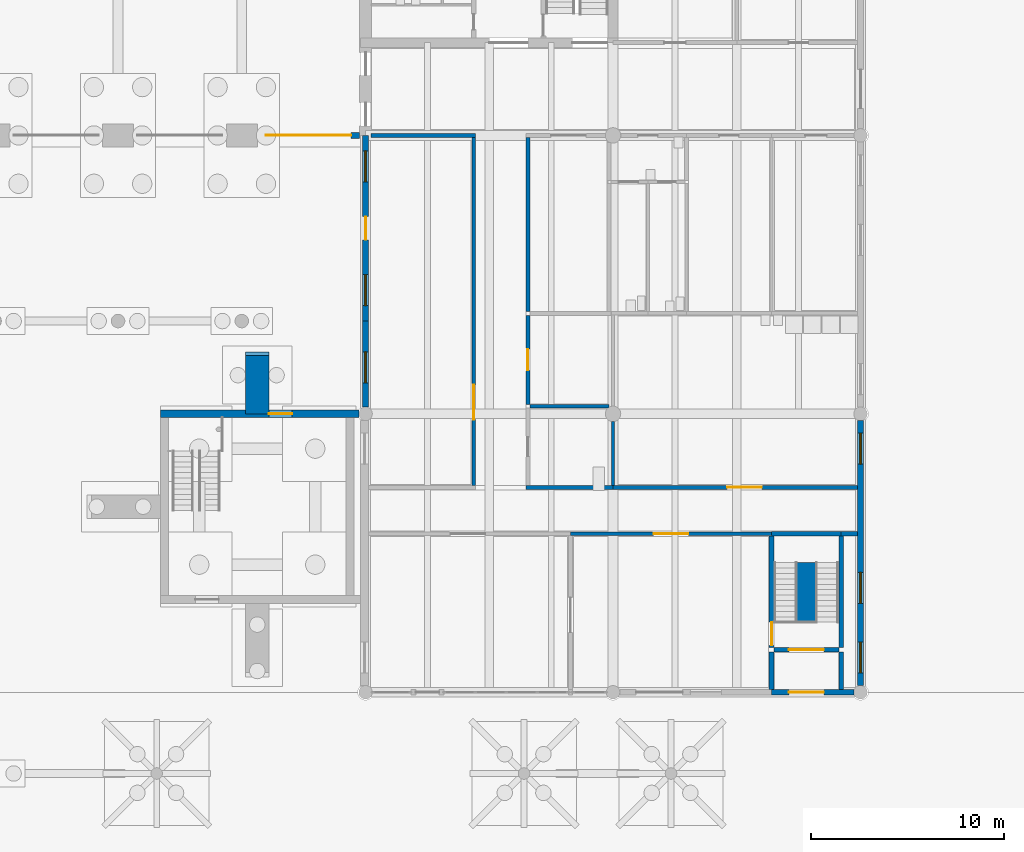
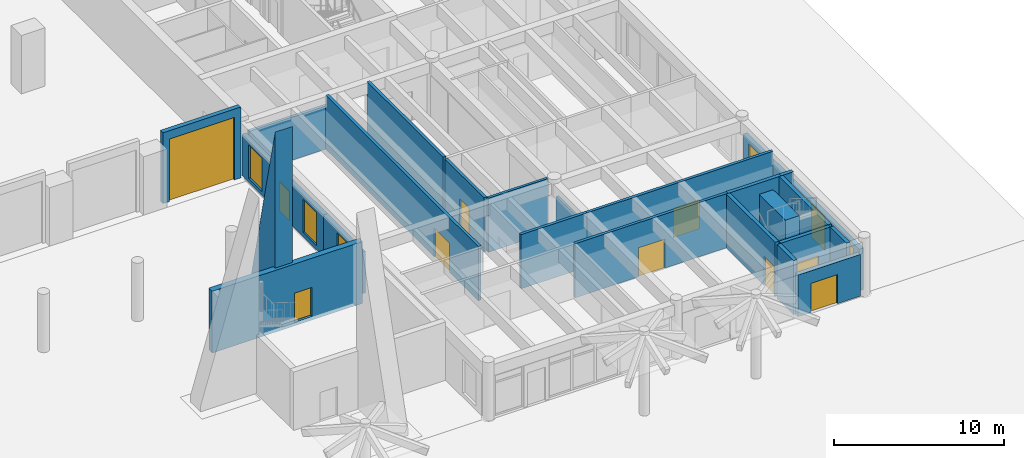
# One storey, part 16 of 28: 24 walls, 10 doors, 6 windows, 16 openings.
"""IFC4 building model written with IfcOpenShell, lengths in metres."""

import ifcopenshell
import ifcopenshell.guid

model = None  # the IFC model being written
_history = None  # IfcOwnerHistory: only IFC2X3 demands one
_inside = {}  # id of a spatial element -> (the spatial element, [elements in it])
_under = {}  # id of a project, library or spatial element -> (it, [spatial elements below it])
_declared = {}  # id of a project -> (the project, [libraries it declares])
_typed = {}  # id of a type object -> (the type object, [elements of that type])
_made_of = {}  # id of a material, layer set ... -> (it, [elements and type objects made of it])


def new_model(schema):
    """Start an empty IFC model of exactly this schema.

    Asked for "IFC4X3", IfcOpenShell would pick the latest addendum, in which some entities
    have other attributes; the version numbers below select the first issue.
    IFC2X3 requires an IfcOwnerHistory on every rooted entity: one is made here for all.
    """
    global model, _history
    if schema == "IFC4X3":
        model = ifcopenshell.file(schema_version=(4, 3, 0, 0))
    else:
        model = ifcopenshell.file(schema=schema)
    _inside.clear()
    _under.clear()
    _declared.clear()
    _typed.clear()
    _made_of.clear()
    _history = None
    if model.schema == "IFC2X3":
        org = make("IfcOrganization", Name="unknown")
        user = make(
            "IfcPersonAndOrganization",
            ThePerson=make("IfcPerson", FamilyName="unknown"),
            TheOrganization=org,
        )
        app = make(
            "IfcApplication",
            ApplicationDeveloper=org,
            Version="unknown",
            ApplicationFullName="unknown",
            ApplicationIdentifier="unknown",
        )
        _history = make(
            "IfcOwnerHistory",
            OwningUser=user,
            OwningApplication=app,
            ChangeAction="ADDED",
            CreationDate=0,
        )
    return model


def make(cls, **values):
    """One entity of the class cls with the attributes given. An attribute that is None is left unset."""
    return model.create_entity(
        cls, **{name: value for name, value in values.items() if value is not None}
    )


def rooted(cls, **values):
    """An entity with a GlobalId (a new one), such as an element, a storey or a relation."""
    return make(cls, GlobalId=ifcopenshell.guid.new(), OwnerHistory=_history, **values)


def si_unit(unit_type, name, prefix=None):
    """IfcSIUnit, for example si_unit("LENGTHUNIT", "METRE", prefix="MILLI")."""
    return make("IfcSIUnit", UnitType=unit_type, Prefix=prefix, Name=name)


def assignment(units):
    """IfcUnitAssignment: the units of a project."""
    return None if units is None else make("IfcUnitAssignment", Units=units)


def point(xyz):
    """IfcCartesianPoint."""
    return None if xyz is None else make("IfcCartesianPoint", Coordinates=xyz)


def direction(xyz):
    """IfcDirection."""
    return None if xyz is None else make("IfcDirection", DirectionRatios=xyz)


def frame(location, z_axis=None, x_axis=None):
    """IfcAxis2Placement3D, a coordinate frame: its origin and axes. An axis left out is left unset."""
    return make(
        "IfcAxis2Placement3D",
        Location=point(location),
        Axis=direction(z_axis),
        RefDirection=direction(x_axis),
    )


def frame_2d(location, x_axis=None):
    """IfcAxis2Placement2D, a coordinate frame in the plane: its origin and x axis."""
    return make(
        "IfcAxis2Placement2D", Location=point(location), RefDirection=direction(x_axis)
    )


def origin():
    """The frame at (0, 0, 0) with its axes left unset."""
    return frame((0.0, 0.0, 0.0))


def place(relative_to, where):
    """IfcLocalPlacement: puts the frame where relative to a parent placement (None: the world)."""
    return make(
        "IfcLocalPlacement", PlacementRelTo=relative_to, RelativePlacement=where
    )


def context(
    kind, dimensions, precision=None, world=None, true_north=None, identifier=None
):
    """IfcGeometricRepresentationContext, for example the 3D "Model" context."""
    return make(
        "IfcGeometricRepresentationContext",
        ContextIdentifier=identifier,
        ContextType=kind,
        CoordinateSpaceDimension=dimensions,
        Precision=precision,
        WorldCoordinateSystem=world,
        TrueNorth=true_north,
    )


def subcontext(parent, identifier, kind, view, scale=None):
    """IfcGeometricRepresentationSubContext, for example "Body" below "Model"."""
    return make(
        "IfcGeometricRepresentationSubContext",
        ContextIdentifier=identifier,
        ContextType=kind,
        ParentContext=parent,
        TargetScale=scale,
        TargetView=view,
    )


def project(units=None, contexts=None):
    """IfcProject with its units and contexts."""
    return rooted(
        "IfcProject",
        Name="project",
        RepresentationContexts=contexts,
        UnitsInContext=assignment(units),
    )


def spatial(cls, under=None, at=None, **own):
    """A site, building, storey or space (cls), placed at a placement, below another one or the project."""
    s = rooted(cls, ObjectPlacement=at, **own)
    if under is not None:
        _under.setdefault(under.id(), (under, []))[1].append(s)
    return s


def polyline(points):
    """IfcPolyline through the points."""
    return make("IfcPolyline", Points=[point(p) for p in points])


def profile(cls, at=None, kind="AREA", **sizes):
    """A parametric profile (cls). Its sizes go by their IFC names, for example OverallWidth=200.0."""
    return make(cls, ProfileType=kind, Position=at, **sizes)


def rectangle(**sizes):
    """IfcRectangleProfileDef."""
    return profile("IfcRectangleProfileDef", **sizes)


def outline(outer, holes=None, kind="AREA"):
    """IfcArbitraryClosedProfileDef: a profile drawn as a closed curve; with holes, ...WithVoids."""
    if holes is None:
        return make("IfcArbitraryClosedProfileDef", ProfileType=kind, OuterCurve=outer)
    return make(
        "IfcArbitraryProfileDefWithVoids",
        ProfileType=kind,
        OuterCurve=outer,
        InnerCurves=holes,
    )


def extrude(swept, where, along, depth):
    """IfcExtrudedAreaSolid: the profile swept, set in the frame where, extruded along a direction by depth."""
    return make(
        "IfcExtrudedAreaSolid",
        SweptArea=swept,
        Position=where,
        ExtrudedDirection=direction(along),
        Depth=depth,
    )


def shape(context_of_items, identifier, shape_type, items):
    """IfcShapeRepresentation: the items that make up one representation, for example the "Body"."""
    return make(
        "IfcShapeRepresentation",
        ContextOfItems=context_of_items,
        RepresentationIdentifier=identifier,
        RepresentationType=shape_type,
        Items=items,
    )


def material(Name=None, Category=None):
    """IfcMaterial."""
    return make("IfcMaterial", Name=Name, Category=Category)


def layer(
    of_material, thickness, ventilated=None, Name=None, Category=None, Priority=None
):
    """IfcMaterialLayer: one layer of a wall or slab, of a material (None: an air gap)."""
    return make(
        "IfcMaterialLayer",
        Material=of_material,
        LayerThickness=thickness,
        IsVentilated=ventilated,
        Name=Name,
        Category=Category,
        Priority=Priority,
    )


def layer_set(layers, Name=None):
    """IfcMaterialLayerSet."""
    return make("IfcMaterialLayerSet", MaterialLayers=layers, LayerSetName=Name)


def made_of(thing, what):
    """Note that an element or type object is made of a material, layer set ...; save() writes the relation."""
    if what is not None:
        _made_of.setdefault(what.id(), (what, []))[1].append(thing)
    return thing


def type_object(cls, material=None, **own):
    """A type object (cls), such as IfcWallType, which elements share."""
    return made_of(rooted(cls, **own), material)


def element(
    cls,
    number,
    at=None,
    inside=None,
    cuts=None,
    type_object=None,
    material=None,
    context=None,
    identifier="Body",
    shape_type=None,
    held_by="IfcProductDefinitionShape",
    body=None,
    shapes=None,
    **own,
):
    """One element of the class cls, such as IfcWall. Its Tag is "e" and its number.

    at: its placement. inside: the storey or other place that contains it. cuts: it is an
    opening in that element (IfcRelVoidsElement). A single representation is given by context,
    identifier, shape_type and body (its items); several are given by shapes. held_by: the class
    of the entity that holds the representations. save() writes the other relations.
    """
    e = rooted(cls, Tag="e%d" % number, ObjectPlacement=at, **own)
    if body is not None:
        shapes = [shape(context, identifier, shape_type, body)]
    if shapes is not None:
        e.Representation = make(held_by, Representations=shapes)
    if inside is not None:
        _inside.setdefault(inside.id(), (inside, []))[1].append(e)
    if cuts is not None:
        rooted(
            "IfcRelVoidsElement", RelatingBuildingElement=cuts, RelatedOpeningElement=e
        )
    if type_object is not None:
        _typed.setdefault(type_object.id(), (type_object, []))[1].append(e)
    return made_of(e, material)


def fill(opening, filler):
    """IfcRelFillsElement: the door or window that sits in an opening."""
    return rooted(
        "IfcRelFillsElement",
        RelatingOpeningElement=opening,
        RelatedBuildingElement=filler,
    )


def aggregate(whole, parts):
    """IfcRelAggregates: a whole, such as a stair, and the parts it consists of."""
    return rooted("IfcRelAggregates", RelatingObject=whole, RelatedObjects=parts)


def save(model, path):
    """Write the relations noted so far, then the file.

    IfcRelAggregates (storeys below a building ...), IfcRelContainedInSpatialStructure (elements
    in a storey), IfcRelDefinesByType, IfcRelAssociatesMaterial and IfcRelDeclares: one each for
    every whole, place, type object, material and project.
    """
    for whole, parts in _under.values():
        aggregate(whole, parts)
    for where, things in _inside.values():
        rooted(
            "IfcRelContainedInSpatialStructure",
            RelatedElements=things,
            RelatingStructure=where,
        )
    for kind, things in _typed.values():
        rooted("IfcRelDefinesByType", RelatedObjects=things, RelatingType=kind)
    for what, things in _made_of.values():
        rooted("IfcRelAssociatesMaterial", RelatedObjects=things, RelatingMaterial=what)
    for by, libraries in _declared.values():
        rooted("IfcRelDeclares", RelatingContext=by, RelatedDefinitions=libraries)
    model.write(path)


model = new_model("IFC4")

# Units and contexts
model_context = context("Model", 3, precision=1e-05, world=origin(), true_north=direction((0.0, 1.0)))
body_context = subcontext(model_context, "Body", "Model", "MODEL_VIEW")
ifc_project = project(units=[si_unit("LENGTHUNIT", "METRE"), si_unit("AREAUNIT", "SQUARE_METRE"), si_unit("VOLUMEUNIT", "CUBIC_METRE"), si_unit("PLANEANGLEUNIT", "RADIAN"), si_unit("MASSUNIT", "GRAM", prefix="KILO")], contexts=[model_context])

# Site, building, storey
site_placement = place(None, origin())
site = spatial("IfcSite", under=ifc_project, at=site_placement, CompositionType="ELEMENT")
building_placement = place(site_placement, origin())
building = spatial("IfcBuilding", under=site, at=building_placement, Name="Fogon Plaza Fire Station and Headquarters Tower", CompositionType="ELEMENT")
storey_placement = place(building_placement, origin())
storey = spatial("IfcBuildingStorey", under=building, at=storey_placement, Name="L00", CompositionType="ELEMENT", Elevation=0.0)

# Wall, openings, windows
ifc_material_1 = material(Name="Concrete C40", Category="concrete")
ifc_layer_1 = layer(ifc_material_1, 0.300048828125)
ifc_layer_set_1 = layer_set([ifc_layer_1], Name="Concrete C40")
wall_type_1 = type_object("IfcWallType", Name="Board-marked RC Infill Wall 300", PredefinedType="SOLIDWALL", material=ifc_layer_set_1)
wall_1_placement = place(storey_placement, frame((89.60009765625, 0.35009765625, 0.0), z_axis=(0.0, 0.0, 1.0), x_axis=(0.0, 1.0, 0.0)))
wall_1 = element("IfcWall", 1, at=wall_1_placement, inside=storey, type_object=wall_type_1, Name="Exterior wall EE L00", PredefinedType="SOLIDWALL", context=body_context, shape_type="SweptSolid", body=[
    extrude(rectangle(XDim=13.699951171875, YDim=0.300048828125, at=frame_2d((6.85009765625, 0.0))), origin(), (0.0, 0.0, 1.0), 3.0),
])
opening_1_placement = place(wall_1_placement, frame((0.64990234375, 0.0, 0.300048828125)))
opening_1 = element("IfcOpeningElement", 2, at=opening_1_placement, cuts=wall_1, Name="Opening W2", PredefinedType="OPENING", context=body_context, shape_type="SweptSolid", body=[
    extrude(rectangle(XDim=1.60009765625, YDim=2.39990234375, at=frame_2d((0.800048828125, 1.199951171875))), frame((0.0, 0.159912109375, 0.0), z_axis=(0.0, -1.0, 0.0), x_axis=(1.0, 0.0, 0.0)), (0.0, 0.0, 1.0), 0.320068359375),
])
opening_2_placement = place(wall_1_placement, frame((4.25, 0.0, 0.300048828125)))
opening_2 = element("IfcOpeningElement", 3, at=opening_2_placement, cuts=wall_1, Name="Opening W2", PredefinedType="OPENING", context=body_context, shape_type="SweptSolid", body=[
    extrude(rectangle(XDim=1.60009765625, YDim=2.39990234375, at=frame_2d((0.800048828125, 1.199951171875))), frame((0.0, 0.159912109375, 0.0), z_axis=(0.0, -1.0, 0.0), x_axis=(1.0, 0.0, 0.0)), (0.0, 0.0, 1.0), 0.320068359375),
])
opening_3_placement = place(wall_1_placement, frame((11.449951171875, 0.0, 0.300048828125)))
opening_3 = element("IfcOpeningElement", 4, at=opening_3_placement, cuts=wall_1, Name="Opening W2", PredefinedType="OPENING", context=body_context, shape_type="SweptSolid", body=[
    extrude(rectangle(XDim=1.60009765625, YDim=2.39990234375, at=frame_2d((0.800048828125, 1.199951171875))), frame((0.0, 0.159912109375, 0.0), z_axis=(0.0, -1.0, 0.0), x_axis=(1.0, 0.0, 0.0)), (0.0, 0.0, 1.0), 0.320068359375),
])
ifc_material_2 = material(Name="Aluminium framed double glazing", Category="aluminium")
window_type = type_object("IfcWindowType", Name="Window W2 1600x2400", PartitioningType="SINGLE_PANEL", PredefinedType="WINDOW", material=ifc_material_2)
window_1_placement = place(opening_1_placement, origin())
window_1 = element("IfcWindow", 5, at=window_1_placement, inside=storey, type_object=window_type, Name="Window W2 E L00", OverallHeight=2.39990234375, OverallWidth=1.60009765625, PartitioningType="SINGLE_PANEL", PredefinedType="WINDOW", context=body_context, shape_type="SweptSolid", body=[
    extrude(rectangle(XDim=1.60009765625, YDim=2.39990234375, at=frame_2d((0.800048828125, 1.199951171875))), frame((0.0, 0.030029296875, 0.0), z_axis=(0.0, -1.0, 0.0), x_axis=(1.0, 0.0, 0.0)), (0.0, 0.0, 1.0), 0.06005859375),
])
fill(opening_1, window_1)
window_2_placement = place(opening_2_placement, origin())
window_2 = element("IfcWindow", 6, at=window_2_placement, inside=storey, type_object=window_type, Name="Window W2 E L00", OverallHeight=2.39990234375, OverallWidth=1.60009765625, PartitioningType="SINGLE_PANEL", PredefinedType="WINDOW", context=body_context, shape_type="SweptSolid", body=[
    extrude(rectangle(XDim=1.60009765625, YDim=2.39990234375, at=frame_2d((0.800048828125, 1.199951171875))), frame((0.0, 0.030029296875, 0.0), z_axis=(0.0, -1.0, 0.0), x_axis=(1.0, 0.0, 0.0)), (0.0, 0.0, 1.0), 0.06005859375),
])
fill(opening_2, window_2)
window_3_placement = place(opening_3_placement, origin())
window_3 = element("IfcWindow", 7, at=window_3_placement, inside=storey, type_object=window_type, Name="Window W2 E L00", OverallHeight=2.39990234375, OverallWidth=1.60009765625, PartitioningType="SINGLE_PANEL", PredefinedType="WINDOW", context=body_context, shape_type="SweptSolid", body=[
    extrude(rectangle(XDim=1.60009765625, YDim=2.39990234375, at=frame_2d((0.800048828125, 1.199951171875))), frame((0.0, 0.030029296875, 0.0), z_axis=(0.0, -1.0, 0.0), x_axis=(1.0, 0.0, 0.0)), (0.0, 0.0, 1.0), 0.06005859375),
])
fill(opening_3, window_3)

# Wall, opening, window
wall_2_placement = place(storey_placement, frame((64.0, 14.75, 0.0), z_axis=(0.0, 0.0, 1.0), x_axis=(0.0, 1.0, 0.0)))
wall_2 = element("IfcWall", 8, at=wall_2_placement, inside=storey, type_object=wall_type_1, Name="Exterior wall EW L00", PredefinedType="SOLIDWALL", context=body_context, shape_type="SweptSolid", body=[
    extrude(rectangle(XDim=4.449951171875, YDim=0.300048828125, at=frame_2d((2.22509765625, 0.0))), origin(), (0.0, 0.0, 1.0), 3.0),
])
opening_4_placement = place(wall_2_placement, frame((1.25, 0.0, 0.300048828125)))
opening_4 = element("IfcOpeningElement", 9, at=opening_4_placement, cuts=wall_2, Name="Opening W2", PredefinedType="OPENING", context=body_context, shape_type="SweptSolid", body=[
    extrude(rectangle(XDim=1.60009765625, YDim=2.39990234375, at=frame_2d((0.800048828125, 1.199951171875))), frame((0.0, 0.159912109375, 0.0), z_axis=(0.0, -1.0, 0.0), x_axis=(1.0, 0.0, 0.0)), (0.0, 0.0, 1.0), 0.320068359375),
])
window_4_placement = place(opening_4_placement, origin())
window_4 = element("IfcWindow", 10, at=window_4_placement, inside=storey, type_object=window_type, Name="Window W2 W L00", OverallHeight=2.39990234375, OverallWidth=1.60009765625, PartitioningType="SINGLE_PANEL", PredefinedType="WINDOW", context=body_context, shape_type="SweptSolid", body=[
    extrude(rectangle(XDim=1.60009765625, YDim=2.39990234375, at=frame_2d((0.800048828125, 1.199951171875))), frame((0.0, 0.030029296875, 0.0), z_axis=(0.0, -1.0, 0.0), x_axis=(1.0, 0.0, 0.0)), (0.0, 0.0, 1.0), 0.06005859375),
])
fill(opening_4, window_4)

# Wall, openings, door, windows
wall_3_placement = place(storey_placement, frame((64.0, 19.199951171875, 0.0), z_axis=(0.0, 0.0, 1.0), x_axis=(0.0, 1.0, 0.0)))
wall_3 = element("IfcWall", 11, at=wall_3_placement, inside=storey, type_object=wall_type_1, Name="Exterior wall EW L00", PredefinedType="SOLIDWALL", context=body_context, shape_type="SweptSolid", body=[
    extrude(rectangle(XDim=9.60009765625, YDim=0.300048828125, at=frame_2d((4.800048828125, 0.0))), origin(), (0.0, 0.0, 1.0), 3.0),
])
opening_5_placement = place(wall_3_placement, frame((4.199951171875, 0.0, 0.0)))
opening_5 = element("IfcOpeningElement", 12, at=opening_5_placement, cuts=wall_3, Name="Opening L00-D14", PredefinedType="OPENING", context=body_context, shape_type="SweptSolid", body=[
    extrude(rectangle(XDim=1.199951171875, YDim=2.10009765625, at=frame_2d((0.60009765625, 1.050048828125))), frame((0.0, 0.159912109375, 0.0), z_axis=(0.0, -1.0, 0.0), x_axis=(1.0, 0.0, 0.0)), (0.0, 0.0, 1.0), 0.320068359375),
])
opening_6_placement = place(wall_3_placement, frame((0.800048828125, 0.0, 0.300048828125)))
opening_6 = element("IfcOpeningElement", 13, at=opening_6_placement, cuts=wall_3, Name="Opening W2", PredefinedType="OPENING", context=body_context, shape_type="SweptSolid", body=[
    extrude(rectangle(XDim=1.60009765625, YDim=2.39990234375, at=frame_2d((0.800048828125, 1.199951171875))), frame((0.0, 0.159912109375, 0.0), z_axis=(0.0, -1.0, 0.0), x_axis=(1.0, 0.0, 0.0)), (0.0, 0.0, 1.0), 0.320068359375),
])
opening_7_placement = place(wall_3_placement, frame((7.199951171875, 0.0, 0.300048828125)))
opening_7 = element("IfcOpeningElement", 14, at=opening_7_placement, cuts=wall_3, Name="Opening W2", PredefinedType="OPENING", context=body_context, shape_type="SweptSolid", body=[
    extrude(rectangle(XDim=1.60009765625, YDim=2.39990234375, at=frame_2d((0.800048828125, 1.199951171875))), frame((0.0, 0.159912109375, 0.0), z_axis=(0.0, -1.0, 0.0), x_axis=(1.0, 0.0, 0.0)), (0.0, 0.0, 1.0), 0.320068359375),
])
ifc_material_3 = material(Name="Steel Door Leaf", Category="steel")
door_type_1 = type_object("IfcDoorType", Name="Service Single 1200x2100", OperationType="SINGLE_SWING_LEFT", PredefinedType="DOOR", material=ifc_material_3)
door_1_placement = place(opening_5_placement, origin())
door_1 = element("IfcDoor", 15, at=door_1_placement, inside=storey, type_object=door_type_1, Name="Exterior door L00-D14", OperationType="SINGLE_SWING_RIGHT", OverallHeight=2.10009765625, OverallWidth=1.199951171875, PredefinedType="DOOR", context=body_context, shape_type="SweptSolid", body=[
    extrude(rectangle(XDim=1.199951171875, YDim=2.10009765625, at=frame_2d((0.60009765625, 1.050048828125))), frame((0.0, 0.02490234375, 0.0), z_axis=(0.0, -1.0, 0.0), x_axis=(1.0, 0.0, 0.0)), (0.0, 0.0, 1.0), 0.050048828125),
])
fill(opening_5, door_1)
window_5_placement = place(opening_6_placement, origin())
window_5 = element("IfcWindow", 16, at=window_5_placement, inside=storey, type_object=window_type, Name="Window W2 W L00", OverallHeight=2.39990234375, OverallWidth=1.60009765625, PartitioningType="SINGLE_PANEL", PredefinedType="WINDOW", context=body_context, shape_type="SweptSolid", body=[
    extrude(rectangle(XDim=1.60009765625, YDim=2.39990234375, at=frame_2d((0.800048828125, 1.199951171875))), frame((0.0, 0.030029296875, 0.0), z_axis=(0.0, -1.0, 0.0), x_axis=(1.0, 0.0, 0.0)), (0.0, 0.0, 1.0), 0.06005859375),
])
fill(opening_6, window_5)
window_6_placement = place(opening_7_placement, origin())
window_6 = element("IfcWindow", 17, at=window_6_placement, inside=storey, type_object=window_type, Name="Window W2 W L00", OverallHeight=2.39990234375, OverallWidth=1.60009765625, PartitioningType="SINGLE_PANEL", PredefinedType="WINDOW", context=body_context, shape_type="SweptSolid", body=[
    extrude(rectangle(XDim=1.60009765625, YDim=2.39990234375, at=frame_2d((0.800048828125, 1.199951171875))), frame((0.0, 0.030029296875, 0.0), z_axis=(0.0, -1.0, 0.0), x_axis=(1.0, 0.0, 0.0)), (0.0, 0.0, 1.0), 0.06005859375),
])
fill(opening_7, window_6)

# Wall, opening, door
wall_4_placement = place(storey_placement, frame((58.39990234375, 28.800048828125, 0.0), z_axis=(0.0, 0.0, 1.0), x_axis=(1.0, 0.0, 0.0)))
wall_4 = element("IfcWall", 18, at=wall_4_placement, inside=storey, type_object=wall_type_1, Name="Bay door infill rear 6", PredefinedType="SOLIDWALL", context=body_context, shape_type="SweptSolid", body=[
    extrude(rectangle(XDim=5.300048828125, YDim=0.300048828125, at=frame_2d((2.64990234375, 0.0))), origin(), (0.0, 0.0, 1.0), 5.10009765625),
])
opening_8_placement = place(wall_4_placement, frame((0.449951171875, 0.0, 0.0)))
opening_8 = element("IfcOpeningElement", 19, at=opening_8_placement, cuts=wall_4, Name="Opening L00-D28", PredefinedType="OPENING", context=body_context, shape_type="SweptSolid", body=[
    extrude(rectangle(XDim=4.39990234375, YDim=4.5, at=frame_2d((2.199951171875, 2.25))), frame((0.0, 0.159912109375, 0.0), z_axis=(0.0, -1.0, 0.0), x_axis=(1.0, 0.0, 0.0)), (0.0, 0.0, 1.0), 0.320068359375),
])
ifc_material_4 = material(Name="Insulated steel sections", Category="steel")
door_type_2 = type_object("IfcDoorType", Name="Sectional Overhead Door 4400x4500", OperationType="ROLLINGUP", PredefinedType="DOOR", material=ifc_material_4)
door_2_placement = place(opening_8_placement, frame((4.39990234375, 0.0, 0.0), z_axis=(0.0, 0.0, 1.0), x_axis=(-1.0, 0.0, 0.0)))
door_2 = element("IfcDoor", 20, at=door_2_placement, inside=storey, type_object=door_type_2, Name="Overhead door L00-D28", OperationType="ROLLINGUP", OverallHeight=4.5, OverallWidth=4.39990234375, PredefinedType="DOOR", context=body_context, shape_type="SweptSolid", body=[
    extrude(rectangle(XDim=4.39990234375, YDim=4.5, at=frame_2d((2.199951171875, 2.25))), frame((0.0, 0.02490234375, 0.0), z_axis=(0.0, -1.0, 0.0), x_axis=(1.0, 0.0, 0.0)), (0.0, 0.0, 1.0), 0.050048828125),
])
fill(opening_8, door_2)

ifc_material_5 = material(Name="Concrete C40", Category="concrete")
ifc_layer_2 = layer(ifc_material_5, 0.300048828125)
ifc_layer_set_2 = layer_set([ifc_layer_2], Name="Concrete C40")
wall_type_2 = type_object("IfcWallType", Name="Board-marked RC Infill Wall 300 EI 120", PredefinedType="SOLIDWALL", material=ifc_layer_set_2)
wall_5_placement = place(storey_placement, frame((85.0, 0.0, 0.0), z_axis=(0.0, 0.0, 1.0), x_axis=(1.0, 0.0, 0.0)))
wall_5 = element("IfcWall", 21, at=wall_5_placement, inside=storey, type_object=wall_type_2, Name="Exterior wall ES L00", PredefinedType="SOLIDWALL", context=body_context, shape_type="SweptSolid", body=[
    extrude(rectangle(XDim=4.25, YDim=0.300048828125, at=frame_2d((2.125, 0.0))), origin(), (0.0, 0.0, 1.0), 3.0),
])
opening_9_placement = place(wall_5_placement, frame((0.89990234375, 0.0, 0.0)))
opening_9 = element("IfcOpeningElement", 22, at=opening_9_placement, cuts=wall_5, Name="Opening L00-D10", PredefinedType="OPENING", context=body_context, shape_type="SweptSolid", body=[
    extrude(rectangle(XDim=1.800048828125, YDim=2.10009765625, at=frame_2d((0.89990234375, 1.050048828125))), frame((0.0, 0.159912109375, 0.0), z_axis=(0.0, -1.0, 0.0), x_axis=(1.0, 0.0, 0.0)), (0.0, 0.0, 1.0), 0.320068359375),
])
ifc_material_6 = material(Name="Steel Fire Door Leaf", Category="steel")
door_type_3 = type_object("IfcDoorType", Name="Stair Discharge Double 1800x2100", OperationType="SINGLE_SWING_LEFT", PredefinedType="DOOR", material=ifc_material_6)
door_3_placement = place(opening_9_placement, frame((1.800048828125, 0.0, 0.0), z_axis=(0.0, 0.0, 1.0), x_axis=(-1.0, 0.0, 0.0)))
door_3 = element("IfcDoor", 23, at=door_3_placement, inside=storey, type_object=door_type_3, Name="Exterior door L00-D10", OperationType="SINGLE_SWING_LEFT", OverallHeight=2.10009765625, OverallWidth=1.800048828125, PredefinedType="DOOR", context=body_context, shape_type="SweptSolid", body=[
    extrude(rectangle(XDim=1.800048828125, YDim=2.10009765625, at=frame_2d((0.89990234375, 1.050048828125))), frame((0.0, 0.02490234375, 0.0), z_axis=(0.0, -1.0, 0.0), x_axis=(1.0, 0.0, 0.0)), (0.0, 0.0, 1.0), 0.050048828125),
])
fill(opening_9, door_3)

# Wall
ifc_material_7 = material(Name="Concrete Block Fire Wall", Category="concrete")
ifc_layer_3 = layer(ifc_material_7, 0.199951171875)
ifc_layer_set_3 = layer_set([ifc_layer_3], Name="Concrete Block Fire Wall")
wall_type_3 = type_object("IfcWallType", Name="Compartment Wall EI 120", PredefinedType="PARTITIONING", material=ifc_layer_set_3)
wall_6_placement = place(storey_placement, frame((72.39990234375, 19.699951171875, 0.0), z_axis=(0.0, 0.0, 1.0), x_axis=(0.0, 1.0, 0.0)))
element("IfcWall", 24, at=wall_6_placement, inside=storey, type_object=wall_type_3, Name="wall-L00-E-053", PredefinedType="PARTITIONING", context=body_context, shape_type="SweptSolid", body=[
    extrude(rectangle(XDim=9.0, YDim=0.199951171875, at=frame_2d((4.5, 0.0))), origin(), (0.0, 0.0, 1.0), 3.89990234375),
])

# Wall, opening, door
ifc_material_8 = material(Name="Gypsum Board Fire Partition")
ifc_layer_4 = layer(ifc_material_8, 0.199951171875)
ifc_layer_set_4 = layer_set([ifc_layer_4], Name="Gypsum Board Fire Partition")
wall_type_4 = type_object("IfcWallType", Name="Corridor Wall EI 60", PredefinedType="PARTITIONING", material=ifc_layer_set_4)
wall_7_placement = place(storey_placement, frame((85.0, 8.199951171875, 0.0), z_axis=(0.0, 0.0, 1.0), x_axis=(-1.0, 0.0, 0.0)))
wall_7 = element("IfcWall", 25, at=wall_7_placement, inside=storey, type_object=wall_type_4, Name="wall-L00-E-004", PredefinedType="PARTITIONING", context=body_context, shape_type="SweptSolid", body=[
    extrude(rectangle(XDim=10.39990234375, YDim=0.199951171875, at=frame_2d((5.199951171875, 0.0))), origin(), (0.0, 0.0, 1.0), 3.89990234375),
])
opening_10_placement = place(wall_7_placement, frame((4.300048828125, 0.0, 0.0)))
opening_10 = element("IfcOpeningElement", 26, at=opening_10_placement, cuts=wall_7, Name="Opening L00-D83", PredefinedType="OPENING", context=body_context, shape_type="SweptSolid", body=[
    extrude(rectangle(XDim=1.800048828125, YDim=2.10009765625, at=frame_2d((0.89990234375, 1.050048828125))), frame((0.0, 0.10986328125, 0.0), z_axis=(0.0, -1.0, 0.0), x_axis=(1.0, 0.0, 0.0)), (0.0, 0.0, 1.0), 0.219970703125),
])
ifc_material_9 = material(Name="Steel Fire Door Leaf", Category="steel")
door_type_4 = type_object("IfcDoorType", Name="Corridor Door Double EI 20 1800x2100", OperationType="SINGLE_SWING_LEFT", PredefinedType="DOOR", material=ifc_material_9)
door_4_placement = place(opening_10_placement, frame((1.800048828125, 0.0, 0.0), z_axis=(0.0, 0.0, 1.0), x_axis=(-1.0, 0.0, 0.0)))
door_4 = element("IfcDoor", 27, at=door_4_placement, inside=storey, type_object=door_type_4, Name="door-L00-E-04", OperationType="DOUBLE_DOOR_SINGLE_SWING", OverallHeight=2.10009765625, OverallWidth=1.800048828125, PredefinedType="DOOR", context=body_context, shape_type="SweptSolid", body=[
    extrude(rectangle(XDim=1.800048828125, YDim=2.10009765625, at=frame_2d((0.89990234375, 1.050048828125))), frame((0.0, 0.02490234375, 0.0), z_axis=(0.0, -1.0, 0.0), x_axis=(1.0, 0.0, 0.0)), (0.0, 0.0, 1.0), 0.050048828125),
])
fill(opening_10, door_4)

wall_8_placement = place(storey_placement, frame((89.449951171875, 10.60009765625, 0.0), z_axis=(0.0, 0.0, 1.0), x_axis=(-1.0, 0.0, 0.0)))
wall_8 = element("IfcWall", 28, at=wall_8_placement, inside=storey, type_object=wall_type_4, Name="wall-L00-E-006", PredefinedType="PARTITIONING", context=body_context, shape_type="SweptSolid", body=[
    extrude(rectangle(XDim=12.64990234375, YDim=0.199951171875, at=frame_2d((6.324951171875, 0.0))), origin(), (0.0, 0.0, 1.0), 3.89990234375),
])
opening_11_placement = place(wall_8_placement, frame((4.949951171875, 0.0, 0.0)))
opening_11 = element("IfcOpeningElement", 29, at=opening_11_placement, cuts=wall_8, Name="Opening L00-D85", PredefinedType="OPENING", context=body_context, shape_type="SweptSolid", body=[
    extrude(rectangle(XDim=1.800048828125, YDim=2.10009765625, at=frame_2d((0.89990234375, 1.050048828125))), frame((0.0, 0.10986328125, 0.0), z_axis=(0.0, -1.0, 0.0), x_axis=(1.0, 0.0, 0.0)), (0.0, 0.0, 1.0), 0.219970703125),
])
door_5_placement = place(opening_11_placement, frame((1.800048828125, 0.0, 0.0), z_axis=(0.0, 0.0, 1.0), x_axis=(-1.0, 0.0, 0.0)))
door_5 = element("IfcDoor", 30, at=door_5_placement, inside=storey, type_object=door_type_4, Name="door-L00-E-06", OperationType="DOUBLE_DOOR_SINGLE_SWING", OverallHeight=2.10009765625, OverallWidth=1.800048828125, PredefinedType="DOOR", context=body_context, shape_type="SweptSolid", body=[
    extrude(rectangle(XDim=1.800048828125, YDim=2.10009765625, at=frame_2d((0.89990234375, 1.050048828125))), frame((0.0, 0.02490234375, 0.0), z_axis=(0.0, -1.0, 0.0), x_axis=(1.0, 0.0, 0.0)), (0.0, 0.0, 1.0), 0.050048828125),
])
fill(opening_11, door_5)

# Wall
wall_9_placement = place(storey_placement, frame((76.800048828125, 10.60009765625, 0.0), z_axis=(0.0, 0.0, 1.0), x_axis=(-1.0, 0.0, 0.0)))
element("IfcWall", 31, at=wall_9_placement, inside=storey, type_object=wall_type_4, Name="wall-L00-E-007", PredefinedType="PARTITIONING", context=body_context, shape_type="SweptSolid", body=[
    extrude(rectangle(XDim=4.5, YDim=0.199951171875, at=frame_2d((2.25, 0.0))), origin(), (0.0, 0.0, 1.0), 3.89990234375),
])

# Wall, opening, door
wall_10_placement = place(storey_placement, frame((72.39990234375, 14.887451171875, 0.0), z_axis=(0.0, 0.0, 1.0), x_axis=(0.0, 1.0, 0.0)))
wall_10 = element("IfcWall", 32, at=wall_10_placement, inside=storey, type_object=wall_type_4, Name="wall-L00-E-052", PredefinedType="PARTITIONING", context=body_context, shape_type="SweptSolid", body=[
    extrude(rectangle(XDim=4.612548828125, YDim=0.199951171875, at=frame_2d((2.30615234375, 0.0))), origin(), (0.0, 0.0, 1.0), 3.89990234375),
])
opening_12_placement = place(wall_10_placement, frame((1.762451171875, 0.0, 0.0)))
opening_12 = element("IfcOpeningElement", 33, at=opening_12_placement, cuts=wall_10, Name="Opening L00-D87", PredefinedType="OPENING", context=body_context, shape_type="SweptSolid", body=[
    extrude(rectangle(XDim=1.10009765625, YDim=2.10009765625, at=frame_2d((0.550048828125, 1.050048828125))), frame((0.0, 0.10986328125, 0.0), z_axis=(0.0, -1.0, 0.0), x_axis=(1.0, 0.0, 0.0)), (0.0, 0.0, 1.0), 0.219970703125),
])
ifc_material_10 = material(Name="Steel Fire Door Leaf", Category="steel")
door_type_5 = type_object("IfcDoorType", Name="Corridor Door EI 20 1100x2100", OperationType="SINGLE_SWING_LEFT", PredefinedType="DOOR", material=ifc_material_10)
door_6_placement = place(opening_12_placement, frame((1.10009765625, 0.0, 0.0), z_axis=(0.0, 0.0, 1.0), x_axis=(-1.0, 0.0, 0.0)))
door_6 = element("IfcDoor", 34, at=door_6_placement, inside=storey, type_object=door_type_5, Name="door-L00-E-08", OperationType="SINGLE_SWING_LEFT", OverallHeight=2.10009765625, OverallWidth=1.10009765625, PredefinedType="DOOR", context=body_context, shape_type="SweptSolid", body=[
    extrude(rectangle(XDim=1.10009765625, YDim=2.10009765625, at=frame_2d((0.550048828125, 1.050048828125))), frame((0.0, 0.02490234375, 0.0), z_axis=(0.0, -1.0, 0.0), x_axis=(1.0, 0.0, 0.0)), (0.0, 0.0, 1.0), 0.050048828125),
])
fill(opening_12, door_6)

wall_11_placement = place(storey_placement, frame((69.60009765625, 10.699951171875, 0.0), z_axis=(0.0, 0.0, 1.0), x_axis=(0.0, 1.0, 0.0)))
wall_11 = element("IfcWall", 35, at=wall_11_placement, inside=storey, type_object=wall_type_4, Name="wall-L00-E-054", PredefinedType="PARTITIONING", context=body_context, shape_type="SweptSolid", body=[
    extrude(rectangle(XDim=18.0, YDim=0.199951171875, at=frame_2d((9.0, 0.0))), origin(), (0.0, 0.0, 1.0), 3.89990234375),
])
opening_13_placement = place(wall_11_placement, frame((3.39990234375, 0.0, 0.0)))
opening_13 = element("IfcOpeningElement", 36, at=opening_13_placement, cuts=wall_11, Name="Opening L00-D88", PredefinedType="OPENING", context=body_context, shape_type="SweptSolid", body=[
    extrude(rectangle(XDim=1.800048828125, YDim=2.10009765625, at=frame_2d((0.89990234375, 1.050048828125))), frame((0.0, 0.10986328125, 0.0), z_axis=(0.0, -1.0, 0.0), x_axis=(1.0, 0.0, 0.0)), (0.0, 0.0, 1.0), 0.219970703125),
])
door_7_placement = place(opening_13_placement, origin())
door_7 = element("IfcDoor", 37, at=door_7_placement, inside=storey, type_object=door_type_4, Name="door-L00-E-09", OperationType="DOUBLE_DOOR_SINGLE_SWING", OverallHeight=2.10009765625, OverallWidth=1.800048828125, PredefinedType="DOOR", context=body_context, shape_type="SweptSolid", body=[
    extrude(rectangle(XDim=1.800048828125, YDim=2.10009765625, at=frame_2d((0.89990234375, 1.050048828125))), frame((0.0, 0.02490234375, 0.0), z_axis=(0.0, -1.0, 0.0), x_axis=(1.0, 0.0, 0.0)), (0.0, 0.0, 1.0), 0.050048828125),
])
fill(opening_13, door_7)

# Walls
ifc_material_11 = material(Name="Gypsum Board Fire Partition")
ifc_layer_5 = layer(ifc_material_11, 0.199951171875)
ifc_layer_set_5 = layer_set([ifc_layer_5], Name="Gypsum Board Fire Partition")
wall_type_5 = type_object("IfcWallType", Name="Corridor Wall EI 60 Beam Head 800", PredefinedType="PARTITIONING", material=ifc_layer_set_5)
wall_12_placement = place(storey_placement, frame((69.699951171875, 28.800048828125, 0.0), z_axis=(0.0, 0.0, 1.0), x_axis=(-1.0, 0.0, 0.0)))
element("IfcWall", 38, at=wall_12_placement, inside=storey, type_object=wall_type_5, Name="wall-L00-E-021", PredefinedType="PARTITIONING", context=body_context, shape_type="SweptSolid", body=[
    extrude(rectangle(XDim=5.409912109375, YDim=0.199951171875, at=frame_2d((2.705078125, 0.0))), origin(), (0.0, 0.0, 1.0), 3.10009765625),
])
ifc_material_12 = material(Name="Concrete C40", Category="concrete")
ifc_layer_6 = layer(ifc_material_12, 1.199951171875)
ifc_layer_set_6 = layer_set([ifc_layer_6], Name="Concrete C40")
wall_type_6 = type_object("IfcWallType", Name="Shear wall 1200 BT120", PredefinedType="SHEAR", material=ifc_layer_set_6)
wall_13_placement = place(storey_placement, frame((58.39990234375, 17.60009765625, 0.0), z_axis=(0.0, 0.0, 1.0), x_axis=(0.0, -1.0, 0.0)))
element("IfcWall", 39, at=wall_13_placement, inside=storey, type_object=wall_type_6, Name="wall-drill-buttress-north", PredefinedType="SHEAR", context=body_context, shape_type="SweptSolid", body=[
    extrude(outline(polyline([(0.0, 0.0), (3.2001953125, 0.0), (3.199951171875, 14.0), (0.0, 0.39990234375), (0.0, 0.0)])), frame((0.0, 0.60009765625, 0.0), z_axis=(0.0, -1.0, 0.0), x_axis=(1.0, 0.0, 0.0)), (0.0, 0.0, 1.0), 1.199951171875),
])

# Wall, opening, door
ifc_material_13 = material(Name="Concrete C40", Category="concrete")
ifc_layer_7 = layer(ifc_material_13, 0.39990234375)
ifc_layer_set_7 = layer_set([ifc_layer_7], Name="Concrete C40")
wall_type_7 = type_object("IfcWallType", Name="Shear wall 400 DW40", PredefinedType="SHEAR", material=ifc_layer_set_7)
wall_14_placement = place(storey_placement, frame((53.39990234375, 14.39990234375, -0.25), z_axis=(0.0, 0.0, 1.0), x_axis=(1.0, 0.0, 0.0)))
wall_14 = element("IfcWall", 40, at=wall_14_placement, inside=storey, type_object=wall_type_7, Name="wall-drill-N-L00", PredefinedType="SHEAR", context=body_context, shape_type="SweptSolid", body=[
    extrude(rectangle(XDim=10.25, YDim=0.39990234375, at=frame_2d((5.125, 0.0))), origin(), (0.0, 0.0, 1.0), 4.449951171875),
])
opening_14_placement = place(wall_14_placement, frame((5.60009765625, 0.0, 0.25)))
opening_14 = element("IfcOpeningElement", 41, at=opening_14_placement, cuts=wall_14, Name="Opening L00-D15", PredefinedType="OPENING", context=body_context, shape_type="SweptSolid", body=[
    extrude(rectangle(XDim=1.199951171875, YDim=2.10009765625, at=frame_2d((0.60009765625, 1.050048828125))), frame((0.0, 0.2099609375, 0.0), z_axis=(0.0, -1.0, 0.0), x_axis=(1.0, 0.0, 0.0)), (0.0, 0.0, 1.0), 0.419921875),
])
ifc_material_14 = material(Name="Steel Door Leaf", Category="steel")
door_type_6 = type_object("IfcDoorType", Name="Exit Single 1200x2100", OperationType="SINGLE_SWING_LEFT", PredefinedType="DOOR", material=ifc_material_14)
door_8_placement = place(opening_14_placement, origin())
door_8 = element("IfcDoor", 42, at=door_8_placement, inside=storey, type_object=door_type_6, Name="Exterior door L00-D15", OperationType="SINGLE_SWING_LEFT", OverallHeight=2.10009765625, OverallWidth=1.199951171875, PredefinedType="DOOR", context=body_context, shape_type="SweptSolid", body=[
    extrude(rectangle(XDim=1.199951171875, YDim=2.10009765625, at=frame_2d((0.60009765625, 1.050048828125))), frame((0.0, 0.02490234375, 0.0), z_axis=(0.0, -1.0, 0.0), x_axis=(1.0, 0.0, 0.0)), (0.0, 0.0, 1.0), 0.050048828125),
])
fill(opening_14, door_8)

# Wall
ifc_material_15 = material(Name="Concrete C40", Category="concrete")
ifc_layer_8 = layer(ifc_material_15, 0.949951171875)
ifc_layer_set_8 = layer_set([ifc_layer_8], Name="Concrete C40")
wall_type_8 = type_object("IfcWallType", Name="Stair Newel Wall RC 950", PredefinedType="SHEAR", material=ifc_layer_set_8)
wall_15_placement = place(storey_placement, frame((86.800048828125, 3.625, 0.0), z_axis=(0.0, 0.0, 1.0), x_axis=(0.0, 1.0, 0.0)))
element("IfcWall", 43, at=wall_15_placement, inside=storey, type_object=wall_type_8, Name="wall-newel-ST8-L00", PredefinedType="SHEAR", context=body_context, shape_type="SweptSolid", body=[
    extrude(rectangle(XDim=3.080078125, YDim=0.949951171875, at=frame_2d((1.5400390625, 0.0))), origin(), (0.0, 0.0, 1.0), 4.199951171875),
])

# Wall, opening, door
ifc_material_16 = material(Name="Concrete C40", Category="concrete")
ifc_layer_9 = layer(ifc_material_16, 0.25)
ifc_layer_set_9 = layer_set([ifc_layer_9], Name="Concrete C40")
wall_type_9 = type_object("IfcWallType", Name="Stair Shaft Wall RC 250", PredefinedType="SHEAR", material=ifc_layer_set_9)
wall_16_placement = place(storey_placement, frame((88.47509765625, 2.199951171875, 0.0), z_axis=(0.0, 0.0, 1.0), x_axis=(-1.0, 0.0, 0.0)))
wall_16 = element("IfcWall", 44, at=wall_16_placement, inside=storey, type_object=wall_type_9, Name="wall-L00-E-001", PredefinedType="SHEAR", context=body_context, shape_type="SweptSolid", body=[
    extrude(rectangle(XDim=3.35009765625, YDim=0.25, at=frame_2d((1.675048828125, 0.0))), origin(), (0.0, 0.0, 1.0), 3.89990234375),
])
opening_15_placement = place(wall_16_placement, frame((0.77490234375, 0.0, 0.0)))
opening_15 = element("IfcOpeningElement", 45, at=opening_15_placement, cuts=wall_16, Name="Opening L00-D81", PredefinedType="OPENING", context=body_context, shape_type="SweptSolid", body=[
    extrude(rectangle(XDim=1.800048828125, YDim=2.10009765625, at=frame_2d((0.89990234375, 1.050048828125))), frame((0.0, 0.135009765625, 0.0), z_axis=(0.0, -1.0, 0.0), x_axis=(1.0, 0.0, 0.0)), (0.0, 0.0, 1.0), 0.27001953125),
])
door_9_placement = place(opening_15_placement, origin())
door_9 = element("IfcDoor", 46, at=door_9_placement, inside=storey, type_object=door_type_3, Name="door-L00-E-02", OperationType="DOUBLE_DOOR_SINGLE_SWING", OverallHeight=2.10009765625, OverallWidth=1.800048828125, PredefinedType="DOOR", context=body_context, shape_type="SweptSolid", body=[
    extrude(rectangle(XDim=1.800048828125, YDim=2.10009765625, at=frame_2d((0.89990234375, 1.050048828125))), frame((0.0, 0.02490234375, 0.0), z_axis=(0.0, -1.0, 0.0), x_axis=(1.0, 0.0, 0.0)), (0.0, 0.0, 1.0), 0.050048828125),
])
fill(opening_15, door_9)

# Walls
wall_17_placement = place(storey_placement, frame((88.60009765625, 8.199951171875, 0.0), z_axis=(0.0, 0.0, 1.0), x_axis=(-1.0, 0.0, 0.0)))
element("IfcWall", 47, at=wall_17_placement, inside=storey, type_object=wall_type_9, Name="wall-L00-E-003", PredefinedType="SHEAR", context=body_context, shape_type="SweptSolid", body=[
    extrude(rectangle(XDim=3.60009765625, YDim=0.25, at=frame_2d((1.800048828125, 0.0))), origin(), (0.0, 0.0, 1.0), 3.89990234375),
])
wall_18_placement = place(storey_placement, frame((88.60009765625, 2.324951171875, 0.0), z_axis=(0.0, 0.0, 1.0), x_axis=(0.0, 1.0, 0.0)))
element("IfcWall", 48, at=wall_18_placement, inside=storey, type_object=wall_type_9, Name="wall-L00-E-031", PredefinedType="SHEAR", context=body_context, shape_type="SweptSolid", body=[
    extrude(rectangle(XDim=5.75, YDim=0.25, at=frame_2d((2.875, 0.0))), origin(), (0.0, 0.0, 1.0), 3.89990234375),
])

# Wall, opening, door
wall_19_placement = place(storey_placement, frame((85.0, 2.324951171875, 0.0), z_axis=(0.0, 0.0, 1.0), x_axis=(0.0, 1.0, 0.0)))
wall_19 = element("IfcWall", 49, at=wall_19_placement, inside=storey, type_object=wall_type_9, Name="wall-L00-E-035", PredefinedType="SHEAR", context=body_context, shape_type="SweptSolid", body=[
    extrude(rectangle(XDim=5.75, YDim=0.25, at=frame_2d((2.875, 0.0))), origin(), (0.0, 0.0, 1.0), 3.89990234375),
])
opening_16_placement = place(wall_19_placement, frame((0.10498046875, 0.0, 0.0)))
opening_16 = element("IfcOpeningElement", 50, at=opening_16_placement, cuts=wall_19, Name="Opening L00-D80", PredefinedType="OPENING", context=body_context, shape_type="SweptSolid", body=[
    extrude(rectangle(XDim=1.199951171875, YDim=2.10009765625, at=frame_2d((0.60009765625, 1.050048828125))), frame((0.0, 0.135009765625, 0.0), z_axis=(0.0, -1.0, 0.0), x_axis=(1.0, 0.0, 0.0)), (0.0, 0.0, 1.0), 0.27001953125),
])
ifc_material_17 = material(Name="Steel Fire Door Leaf", Category="steel")
door_type_7 = type_object("IfcDoorType", Name="Stair Door EI 90 1200x2100", OperationType="SINGLE_SWING_LEFT", PredefinedType="DOOR", material=ifc_material_17)
door_10_placement = place(opening_16_placement, origin())
door_10 = element("IfcDoor", 51, at=door_10_placement, inside=storey, type_object=door_type_7, Name="door-L00-E-01", OperationType="SINGLE_SWING_LEFT", OverallHeight=2.10009765625, OverallWidth=1.199951171875, PredefinedType="DOOR", context=body_context, shape_type="SweptSolid", body=[
    extrude(rectangle(XDim=1.199951171875, YDim=2.10009765625, at=frame_2d((0.60009765625, 1.050048828125))), frame((0.0, 0.02490234375, 0.0), z_axis=(0.0, -1.0, 0.0), x_axis=(1.0, 0.0, 0.0)), (0.0, 0.0, 1.0), 0.050048828125),
])
fill(opening_16, door_10)

# Walls
ifc_material_18 = material(Name="Concrete Block Fire Wall", Category="concrete")
ifc_layer_10 = layer(ifc_material_18, 0.25)
ifc_layer_set_10 = layer_set([ifc_layer_10], Name="Concrete Block Fire Wall")
wall_type_10 = type_object("IfcWallType", Name="Stair and Shaft Wall EI 120", PredefinedType="PARTITIONING", material=ifc_layer_set_10)
wall_20_placement = place(storey_placement, frame((89.449951171875, 8.199951171875, 0.0), z_axis=(0.0, 0.0, 1.0), x_axis=(-1.0, 0.0, 0.0)))
element("IfcWall", 52, at=wall_20_placement, inside=storey, type_object=wall_type_10, Name="wall-L00-E-002", PredefinedType="PARTITIONING", context=body_context, shape_type="SweptSolid", body=[
    extrude(rectangle(XDim=0.849853515625, YDim=0.25, at=frame_2d((0.4248046875, 0.0))), origin(), (0.0, 0.0, 1.0), 3.89990234375),
])
for number, where, z_axis, x_axis, name in (
    (53, (88.60009765625, 0.14990234375, 0.0), (0.0, 0.0, 1.0), (0.0, 1.0, 0.0), "wall-L00-E-030"),
    (54, (85.0, 0.14990234375, 0.0), (0.0, 0.0, 1.0), (0.0, 1.0, 0.0), "wall-L00-E-034"),
):
    element("IfcWall", number, at=place(storey_placement, frame(where, z_axis=z_axis, x_axis=x_axis)), inside=storey, type_object=wall_type_10, Name=name, PredefinedType="PARTITIONING", context=body_context, shape_type="SweptSolid", body=[
        extrude(rectangle(XDim=1.925048828125, YDim=0.25, at=frame_2d((0.96240234375, 0.0))), origin(), (0.0, 0.0, 1.0), 3.89990234375),
    ])
ifc_material_19 = material(Name="Tiled Concrete Block Wall", Category="concrete")
ifc_layer_11 = layer(ifc_material_19, 0.175048828125)
ifc_layer_set_11 = layer_set([ifc_layer_11], Name="Tiled Concrete Block Wall")
wall_type_11 = type_object("IfcWallType", Name="Wet Area Block Wall 175", PredefinedType="PARTITIONING", material=ifc_layer_set_11)
wall_21_placement = place(storey_placement, frame((76.58056640625, 14.800048828125, 0.0), z_axis=(0.0, 0.0, 1.0), x_axis=(-1.0, 0.0, 0.0)))
element("IfcWall", 55, at=wall_21_placement, inside=storey, type_object=wall_type_11, Name="wall-L00-E-009", PredefinedType="PARTITIONING", context=body_context, shape_type="SweptSolid", body=[
    extrude(rectangle(XDim=4.08056640625, YDim=0.175048828125, at=frame_2d((2.040283203125, 0.0))), origin(), (0.0, 0.0, 1.0), 3.89990234375),
])
ifc_material_20 = material(Name="Tiled Concrete Block Wall", Category="concrete")
ifc_layer_12 = layer(ifc_material_20, 0.175048828125)
ifc_layer_set_12 = layer_set([ifc_layer_12], Name="Tiled Concrete Block Wall")
wall_type_12 = type_object("IfcWallType", Name="Wet Area Block Wall 175 Beam Head 900", PredefinedType="PARTITIONING", material=ifc_layer_set_12)
wall_22_placement = place(storey_placement, frame((76.800048828125, 10.699951171875, 0.0), z_axis=(0.0, 0.0, 1.0), x_axis=(0.0, 1.0, 0.0)))
element("IfcWall", 56, at=wall_22_placement, inside=storey, type_object=wall_type_12, Name="wall-L00-E-045", PredefinedType="PARTITIONING", context=body_context, shape_type="SweptSolid", body=[
    extrude(rectangle(XDim=3.300048828125, YDim=0.175048828125, at=frame_2d((1.64990234375, 0.0))), origin(), (0.0, 0.0, 1.0), 3.0),
])

save(model, "model.ifc")
